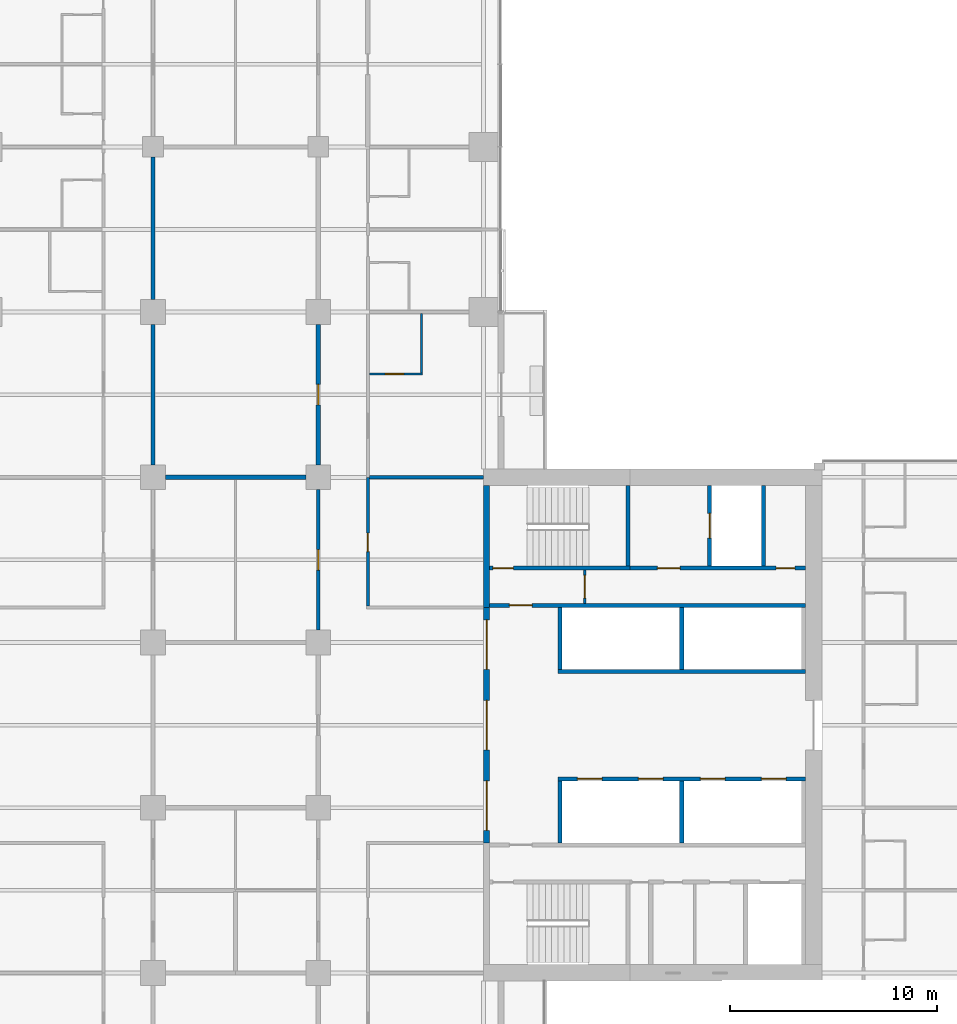
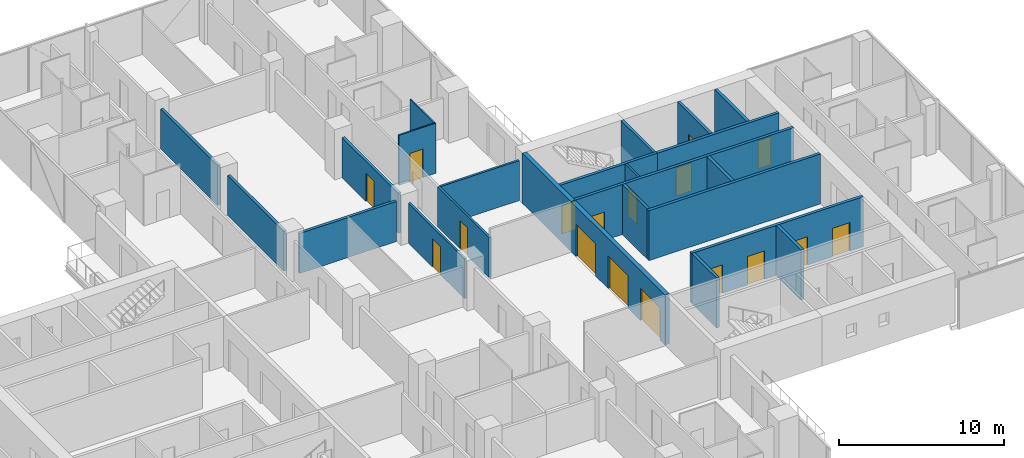
# One storey, part 20 of 27: 24 walls, 17 doors, 17 openings.
"""IFC4 building model written with IfcOpenShell, lengths in metres."""

from ifc_helpers import new_model, si_unit, direction, frame, frame_2d, origin, place, context, subcontext, project, spatial, rectangle, extrude, material, layer, layer_set, type_object, element, fill, save


model = new_model("IFC4")

# Units and contexts
model_context = context("Model", 3, precision=1e-05, world=origin(), true_north=direction((0.0, 1.0)))
body_context = subcontext(model_context, "Body", "Model", "MODEL_VIEW")
ifc_project = project(units=[si_unit("LENGTHUNIT", "METRE"), si_unit("AREAUNIT", "SQUARE_METRE"), si_unit("VOLUMEUNIT", "CUBIC_METRE"), si_unit("PLANEANGLEUNIT", "RADIAN"), si_unit("MASSUNIT", "GRAM", prefix="KILO")], contexts=[model_context])

# Site, building, storey
site_placement = place(None, origin())
site = spatial("IfcSite", under=ifc_project, at=site_placement, CompositionType="ELEMENT")
building_placement = place(site_placement, origin())
building = spatial("IfcBuilding", under=site, at=building_placement, Name="Crosswind Convention Tower", CompositionType="ELEMENT")
storey_placement = place(building_placement, frame((0.0, 0.0, 68.300048828125)))
storey = spatial("IfcBuildingStorey", under=building, at=storey_placement, Name="L11", CompositionType="ELEMENT", Elevation=68.300048828125)

# Wall, opening, door
ifc_material_1 = material(Name="Plasterboard partition", Category="gypsum")
ifc_layer_1 = layer(ifc_material_1, 0.14990234375)
ifc_layer_set_1 = layer_set([ifc_layer_1], Name="CORRIDOR WALL 150")
wall_type_1 = type_object("IfcWallType", Name="CORRIDOR WALL 150", PredefinedType="PARTITIONING", material=ifc_layer_set_1)
wall_1_placement = place(storey_placement, frame((129.0, 104.60009765625, 0.0), z_axis=(0.0, 0.0, 1.0), x_axis=(0.0, 1.0, 0.0)))
wall_1 = element("IfcWall", 1, at=wall_1_placement, inside=storey, type_object=wall_type_1, Name="Corridor Wall 110", PredefinedType="PARTITIONING", context=body_context, shape_type="SweptSolid", body=[
    extrude(rectangle(XDim=6.7998046875, YDim=0.14990234375, at=frame_2d((3.39990234375, 0.0))), origin(), (0.0, 0.0, 1.0), 2.959716796875),
])
opening_1_placement = place(wall_1_placement, frame((2.89990234375, 0.0, 0.0)))
opening_1 = element("IfcOpeningElement", 2, at=opening_1_placement, cuts=wall_1, Name="Opening 11.066", PredefinedType="OPENING", context=body_context, shape_type="SweptSolid", body=[
    extrude(rectangle(XDim=1.0, YDim=2.10009765625, at=frame_2d((0.5, 1.050048828125))), frame((0.0, 0.0849609375, 0.0), z_axis=(0.0, -1.0, 0.0), x_axis=(1.0, 0.0, 0.0)), (0.0, 0.0, 1.0), 0.169921875),
])
ifc_material_2 = material(Name="Timber fire door", Category="wood")
door_type_1 = type_object("IfcDoorType", Name="SERVICE ROOM DOOR 1000X2100", OperationType="NOTDEFINED", PredefinedType="DOOR", material=ifc_material_2)
door_1_placement = place(opening_1_placement, origin())
door_1 = element("IfcDoor", 3, at=door_1_placement, inside=storey, type_object=door_type_1, Name="Door 11.066", ObjectType="D3", OperationType="SINGLE_SWING_RIGHT", OverallHeight=2.10009765625, OverallWidth=1.0, PredefinedType="DOOR", context=body_context, shape_type="SweptSolid", body=[
    extrude(rectangle(XDim=1.0, YDim=2.10009765625, at=frame_2d((0.5, 1.050048828125))), frame((0.0, 0.02490234375, 0.0), z_axis=(0.0, -1.0, 0.0), x_axis=(1.0, 0.0, 0.0)), (0.0, 0.0, 1.0), 0.050048828125),
])
fill(opening_1, door_1)

wall_2_placement = place(storey_placement, frame((131.39990234375, 105.77490234375, 0.0), z_axis=(0.0, 0.0, 1.0), x_axis=(0.0, 1.0, 0.0)))
wall_2 = element("IfcWall", 4, at=wall_2_placement, inside=storey, type_object=wall_type_1, Name="Corridor Wall 117", PredefinedType="PARTITIONING", context=body_context, shape_type="SweptSolid", body=[
    extrude(rectangle(XDim=6.22509765625, YDim=0.14990234375, at=frame_2d((3.112548828125, 0.0))), origin(), (0.0, 0.0, 1.0), 2.956298828125),
])
opening_2_placement = place(wall_2_placement, frame((2.625, 0.0, 0.0)))
opening_2 = element("IfcOpeningElement", 5, at=opening_2_placement, cuts=wall_2, Name="Opening 11.001", PredefinedType="OPENING", context=body_context, shape_type="SweptSolid", body=[
    extrude(rectangle(XDim=0.89990234375, YDim=2.10009765625, at=frame_2d((0.449951171875, 1.050048828125))), frame((0.0, 0.0849609375, 0.0), z_axis=(0.0, -1.0, 0.0), x_axis=(1.0, 0.0, 0.0)), (0.0, 0.0, 1.0), 0.169921875),
])
ifc_material_3 = material(Name="Timber door", Category="wood")
door_type_2 = type_object("IfcDoorType", Name="WC DOOR 900X2100", OperationType="NOTDEFINED", PredefinedType="DOOR", material=ifc_material_3)
door_2_placement = place(opening_2_placement, frame((0.89990234375, 0.0, 0.0), z_axis=(0.0, 0.0, 1.0), x_axis=(-1.0, 0.0, 0.0)))
door_2 = element("IfcDoor", 6, at=door_2_placement, inside=storey, type_object=door_type_2, Name="Door 11.001", ObjectType="D7", OperationType="SINGLE_SWING_LEFT", OverallHeight=2.10009765625, OverallWidth=0.89990234375, PredefinedType="DOOR", context=body_context, shape_type="SweptSolid", body=[
    extrude(rectangle(XDim=0.89990234375, YDim=2.10009765625, at=frame_2d((0.449951171875, 1.050048828125))), frame((0.0, 0.02490234375, 0.0), z_axis=(0.0, -1.0, 0.0), x_axis=(1.0, 0.0, 0.0)), (0.0, 0.0, 1.0), 0.050048828125),
])
fill(opening_2, door_2)

# Wall, openings, doors
ifc_material_4 = material(Name="Concrete C50/60", Category="concrete")
ifc_layer_2 = layer(ifc_material_4, 0.300048828125)
ifc_layer_set_2 = layer_set([ifc_layer_2], Name="Concrete C50/60")
wall_type_2 = type_object("IfcWallType", Name="Concrete inner core wall 300", PredefinedType="SHEAR", material=ifc_layer_set_2)
wall_3_placement = place(storey_placement, frame((137.14990234375, 94.300048828125, 0.0), z_axis=(0.0, 0.0, 1.0), x_axis=(0.0, 1.0, 0.0)))
wall_3 = element("IfcWall", 7, at=wall_3_placement, inside=storey, type_object=wall_type_2, Name="Wall SCR E L11", PredefinedType="SHEAR", context=body_context, shape_type="SweptSolid", body=[
    extrude(rectangle(XDim=11.39990234375, YDim=0.300048828125, at=frame_2d((5.699951171875, 0.0))), origin(), (0.0, 0.0, 1.0), 3.699951171875),
])
opening_3_placement = place(wall_3_placement, frame((0.60009765625, 0.0, 0.0)))
opening_3 = element("IfcOpeningElement", 8, at=opening_3_placement, cuts=wall_3, Name="Opening D100", PredefinedType="OPENING", context=body_context, shape_type="SweptSolid", body=[
    extrude(rectangle(XDim=2.39990234375, YDim=2.39990234375, at=frame_2d((1.199951171875, 1.199951171875))), frame((0.0, 0.159912109375, 0.0), z_axis=(0.0, -1.0, 0.0), x_axis=(1.0, 0.0, 0.0)), (0.0, 0.0, 1.0), 0.320068359375),
])
opening_4_placement = place(wall_3_placement, frame((4.5, 0.0, 0.0)))
opening_4 = element("IfcOpeningElement", 9, at=opening_4_placement, cuts=wall_3, Name="Opening D100", PredefinedType="OPENING", context=body_context, shape_type="SweptSolid", body=[
    extrude(rectangle(XDim=2.39990234375, YDim=2.39990234375, at=frame_2d((1.199951171875, 1.199951171875))), frame((0.0, 0.159912109375, 0.0), z_axis=(0.0, -1.0, 0.0), x_axis=(1.0, 0.0, 0.0)), (0.0, 0.0, 1.0), 0.320068359375),
])
opening_5_placement = place(wall_3_placement, frame((8.39990234375, 0.0, 0.0)))
opening_5 = element("IfcOpeningElement", 10, at=opening_5_placement, cuts=wall_3, Name="Opening D100", PredefinedType="OPENING", context=body_context, shape_type="SweptSolid", body=[
    extrude(rectangle(XDim=2.39990234375, YDim=2.39990234375, at=frame_2d((1.199951171875, 1.199951171875))), frame((0.0, 0.159912109375, 0.0), z_axis=(0.0, -1.0, 0.0), x_axis=(1.0, 0.0, 0.0)), (0.0, 0.0, 1.0), 0.320068359375),
])
ifc_material_5 = material(Name="Steel fire door with glazed vision panels", Category="steel")
door_type_3 = type_object("IfcDoorType", Name="Fire-rated double door 2400x2400", OperationType="DOUBLE_DOOR_SINGLE_SWING", PredefinedType="DOOR", material=ifc_material_5)
door_3_placement = place(opening_3_placement, origin())
door_3 = element("IfcDoor", 11, at=door_3_placement, inside=storey, type_object=door_type_3, Name="Lobby door 1 L11", ObjectType="D100", OperationType="DOUBLE_DOOR_SINGLE_SWING", OverallHeight=2.39990234375, OverallWidth=2.39990234375, PredefinedType="DOOR", context=body_context, shape_type="SweptSolid", body=[
    extrude(rectangle(XDim=2.39990234375, YDim=2.39990234375, at=frame_2d((1.199951171875, 1.199951171875))), frame((0.0, 0.02490234375, 0.0), z_axis=(0.0, -1.0, 0.0), x_axis=(1.0, 0.0, 0.0)), (0.0, 0.0, 1.0), 0.050048828125),
])
fill(opening_3, door_3)
door_4_placement = place(opening_4_placement, origin())
door_4 = element("IfcDoor", 12, at=door_4_placement, inside=storey, type_object=door_type_3, Name="Lobby door 2 L11", ObjectType="D100", OperationType="DOUBLE_DOOR_SINGLE_SWING", OverallHeight=2.39990234375, OverallWidth=2.39990234375, PredefinedType="DOOR", context=body_context, shape_type="SweptSolid", body=[
    extrude(rectangle(XDim=2.39990234375, YDim=2.39990234375, at=frame_2d((1.199951171875, 1.199951171875))), frame((0.0, 0.02490234375, 0.0), z_axis=(0.0, -1.0, 0.0), x_axis=(1.0, 0.0, 0.0)), (0.0, 0.0, 1.0), 0.050048828125),
])
fill(opening_4, door_4)
door_5_placement = place(opening_5_placement, origin())
door_5 = element("IfcDoor", 13, at=door_5_placement, inside=storey, type_object=door_type_3, Name="Lobby door 3 L11", ObjectType="D100", OperationType="DOUBLE_DOOR_SINGLE_SWING", OverallHeight=2.39990234375, OverallWidth=2.39990234375, PredefinedType="DOOR", context=body_context, shape_type="SweptSolid", body=[
    extrude(rectangle(XDim=2.39990234375, YDim=2.39990234375, at=frame_2d((1.199951171875, 1.199951171875))), frame((0.0, 0.02490234375, 0.0), z_axis=(0.0, -1.0, 0.0), x_axis=(1.0, 0.0, 0.0)), (0.0, 0.0, 1.0), 0.050048828125),
])
fill(opening_5, door_5)

# Walls
wall_4_placement = place(storey_placement, frame((137.14990234375, 105.699951171875, 0.0), z_axis=(0.0, 0.0, 1.0), x_axis=(0.0, 1.0, 0.0)))
element("IfcWall", 14, at=wall_4_placement, inside=storey, type_object=wall_type_2, Name="Wall EP E L11", PredefinedType="SHEAR", context=body_context, shape_type="SweptSolid", body=[
    extrude(rectangle(XDim=5.900146484375, YDim=0.300048828125, at=frame_2d((2.9501953125, 0.0))), origin(), (0.0, 0.0, 1.0), 3.699951171875),
])
ifc_layer_3 = layer(ifc_material_4, 0.199951171875)
ifc_layer_set_3 = layer_set([ifc_layer_3], Name="Concrete C50/60")
wall_type_3 = type_object("IfcWallType", Name="Concrete shaft and stair wall 200", PredefinedType="SHEAR", material=ifc_layer_set_3)
for number, where, z_axis, x_axis, name in (
    (15, (140.699951171875, 102.699951171875, 0.0), (0.0, 0.0, 1.0), (0.0, 1.0, 0.0), "Wall RPEND E L11"),
    (16, (146.60009765625, 102.699951171875, 0.0), (0.0, 0.0, 1.0), (0.0, 1.0, 0.0), "Wall RPSEP E L11"),
):
    element("IfcWall", number, at=place(storey_placement, frame(where, z_axis=z_axis, x_axis=x_axis)), inside=storey, type_object=wall_type_3, Name=name, PredefinedType="SHEAR", context=body_context, shape_type="SweptSolid", body=[
        extrude(rectangle(XDim=3.0, YDim=0.199951171875, at=frame_2d((1.5, 0.0))), origin(), (0.0, 0.0, 1.0), 3.699951171875),
    ])
wall_5_placement = place(storey_placement, frame((140.60009765625, 102.60009765625, 0.0), z_axis=(0.0, 0.0, 1.0), x_axis=(1.0, 0.0, 0.0)))
element("IfcWall", 17, at=wall_5_placement, inside=storey, type_object=wall_type_3, Name="Wall RPFRONT E L11", PredefinedType="SHEAR", context=body_context, shape_type="SweptSolid", body=[
    extrude(rectangle(XDim=12.0, YDim=0.199951171875, at=frame_2d((6.0, 0.0))), origin(), (0.0, 0.0, 1.0), 3.699951171875),
])
for number, where, z_axis, x_axis, name in (
    (18, (140.699951171875, 94.300048828125, 0.0), (0.0, 0.0, 1.0), (0.0, 1.0, 0.0), "Wall RMEND E L11"),
    (19, (146.60009765625, 94.300048828125, 0.0), (0.0, 0.0, 1.0), (0.0, 1.0, 0.0), "Wall RMSEP E L11"),
):
    element("IfcWall", number, at=place(storey_placement, frame(where, z_axis=z_axis, x_axis=x_axis)), inside=storey, type_object=wall_type_3, Name=name, PredefinedType="SHEAR", context=body_context, shape_type="SweptSolid", body=[
        extrude(rectangle(XDim=3.0, YDim=0.199951171875, at=frame_2d((1.5, 0.0))), origin(), (0.0, 0.0, 1.0), 3.699951171875),
    ])

# Wall, openings, doors
wall_6_placement = place(storey_placement, frame((140.60009765625, 97.39990234375, 0.0), z_axis=(0.0, 0.0, 1.0), x_axis=(1.0, 0.0, 0.0)))
wall_6 = element("IfcWall", 20, at=wall_6_placement, inside=storey, type_object=wall_type_3, Name="Wall RMFRONT E L11", PredefinedType="SHEAR", context=body_context, shape_type="SweptSolid", body=[
    extrude(rectangle(XDim=12.0, YDim=0.199951171875, at=frame_2d((6.0, 0.0))), origin(), (0.0, 0.0, 1.0), 3.699951171875),
])
opening_6_placement = place(wall_6_placement, frame((0.949951171875, 0.0, 0.0)))
opening_6 = element("IfcOpeningElement", 21, at=opening_6_placement, cuts=wall_6, Name="Opening LD1", PredefinedType="OPENING", context=body_context, shape_type="SweptSolid", body=[
    extrude(rectangle(XDim=1.199951171875, YDim=2.10009765625, at=frame_2d((0.60009765625, 1.050048828125))), frame((0.0, 0.10986328125, 0.0), z_axis=(0.0, -1.0, 0.0), x_axis=(1.0, 0.0, 0.0)), (0.0, 0.0, 1.0), 0.219970703125),
])
opening_7_placement = place(wall_6_placement, frame((3.89990234375, 0.0, 0.0)))
opening_7 = element("IfcOpeningElement", 22, at=opening_7_placement, cuts=wall_6, Name="Opening LD1", PredefinedType="OPENING", context=body_context, shape_type="SweptSolid", body=[
    extrude(rectangle(XDim=1.199951171875, YDim=2.10009765625, at=frame_2d((0.60009765625, 1.050048828125))), frame((0.0, 0.10986328125, 0.0), z_axis=(0.0, -1.0, 0.0), x_axis=(1.0, 0.0, 0.0)), (0.0, 0.0, 1.0), 0.219970703125),
])
opening_8_placement = place(wall_6_placement, frame((6.89990234375, 0.0, 0.0)))
opening_8 = element("IfcOpeningElement", 23, at=opening_8_placement, cuts=wall_6, Name="Opening LD1", PredefinedType="OPENING", context=body_context, shape_type="SweptSolid", body=[
    extrude(rectangle(XDim=1.199951171875, YDim=2.10009765625, at=frame_2d((0.60009765625, 1.050048828125))), frame((0.0, 0.10986328125, 0.0), z_axis=(0.0, -1.0, 0.0), x_axis=(1.0, 0.0, 0.0)), (0.0, 0.0, 1.0), 0.219970703125),
])
opening_9_placement = place(wall_6_placement, frame((9.85009765625, 0.0, 0.0)))
opening_9 = element("IfcOpeningElement", 24, at=opening_9_placement, cuts=wall_6, Name="Opening LD1", PredefinedType="OPENING", context=body_context, shape_type="SweptSolid", body=[
    extrude(rectangle(XDim=1.199951171875, YDim=2.10009765625, at=frame_2d((0.60009765625, 1.050048828125))), frame((0.0, 0.10986328125, 0.0), z_axis=(0.0, -1.0, 0.0), x_axis=(1.0, 0.0, 0.0)), (0.0, 0.0, 1.0), 0.219970703125),
])
ifc_material_6 = material(Name="Stainless steel", Category="steel")
door_type_4 = type_object("IfcDoorType", Name="Lift landing door 1200x2100", OperationType="DOUBLE_DOOR_SLIDING", PredefinedType="DOOR", material=ifc_material_6)
door_6_placement = place(opening_6_placement, origin())
door_6 = element("IfcDoor", 25, at=door_6_placement, inside=storey, type_object=door_type_4, Name="Landing door H1 L11", ObjectType="LD1", OperationType="DOUBLE_DOOR_SLIDING", OverallHeight=2.10009765625, OverallWidth=1.199951171875, PredefinedType="DOOR", context=body_context, shape_type="SweptSolid", body=[
    extrude(rectangle(XDim=1.199951171875, YDim=2.10009765625, at=frame_2d((0.60009765625, 1.050048828125))), frame((0.0, 0.02490234375, 0.0), z_axis=(0.0, -1.0, 0.0), x_axis=(1.0, 0.0, 0.0)), (0.0, 0.0, 1.0), 0.050048828125),
])
fill(opening_6, door_6)
door_7_placement = place(opening_7_placement, origin())
door_7 = element("IfcDoor", 26, at=door_7_placement, inside=storey, type_object=door_type_4, Name="Landing door H2 L11", ObjectType="LD1", OperationType="DOUBLE_DOOR_SLIDING", OverallHeight=2.10009765625, OverallWidth=1.199951171875, PredefinedType="DOOR", context=body_context, shape_type="SweptSolid", body=[
    extrude(rectangle(XDim=1.199951171875, YDim=2.10009765625, at=frame_2d((0.60009765625, 1.050048828125))), frame((0.0, 0.02490234375, 0.0), z_axis=(0.0, -1.0, 0.0), x_axis=(1.0, 0.0, 0.0)), (0.0, 0.0, 1.0), 0.050048828125),
])
fill(opening_7, door_7)
door_8_placement = place(opening_8_placement, origin())
door_8 = element("IfcDoor", 27, at=door_8_placement, inside=storey, type_object=door_type_4, Name="Landing door H3 L11", ObjectType="LD1", OperationType="DOUBLE_DOOR_SLIDING", OverallHeight=2.10009765625, OverallWidth=1.199951171875, PredefinedType="DOOR", context=body_context, shape_type="SweptSolid", body=[
    extrude(rectangle(XDim=1.199951171875, YDim=2.10009765625, at=frame_2d((0.60009765625, 1.050048828125))), frame((0.0, 0.02490234375, 0.0), z_axis=(0.0, -1.0, 0.0), x_axis=(1.0, 0.0, 0.0)), (0.0, 0.0, 1.0), 0.050048828125),
])
fill(opening_8, door_8)
door_9_placement = place(opening_9_placement, origin())
door_9 = element("IfcDoor", 28, at=door_9_placement, inside=storey, type_object=door_type_4, Name="Landing door H4 L11", ObjectType="LD1", OperationType="DOUBLE_DOOR_SLIDING", OverallHeight=2.10009765625, OverallWidth=1.199951171875, PredefinedType="DOOR", context=body_context, shape_type="SweptSolid", body=[
    extrude(rectangle(XDim=1.199951171875, YDim=2.10009765625, at=frame_2d((0.60009765625, 1.050048828125))), frame((0.0, 0.02490234375, 0.0), z_axis=(0.0, -1.0, 0.0), x_axis=(1.0, 0.0, 0.0)), (0.0, 0.0, 1.0), 0.050048828125),
])
fill(opening_9, door_9)

# Wall, opening, door
wall_7_placement = place(storey_placement, frame((137.300048828125, 105.800048828125, 0.0), z_axis=(0.0, 0.0, 1.0), x_axis=(1.0, 0.0, 0.0)))
wall_7 = element("IfcWall", 29, at=wall_7_placement, inside=storey, type_object=wall_type_3, Name="Wall HP E L11", PredefinedType="SHEAR", context=body_context, shape_type="SweptSolid", body=[
    extrude(rectangle(XDim=15.300048828125, YDim=0.199951171875, at=frame_2d((7.64990234375, 0.0))), origin(), (0.0, 0.0, 1.0), 3.699951171875),
])
opening_10_placement = place(wall_7_placement, frame((0.949951171875, 0.0, 0.0)))
opening_10 = element("IfcOpeningElement", 30, at=opening_10_placement, cuts=wall_7, Name="Opening D104", PredefinedType="OPENING", context=body_context, shape_type="SweptSolid", body=[
    extrude(rectangle(XDim=1.10009765625, YDim=2.10009765625, at=frame_2d((0.550048828125, 1.050048828125))), frame((0.0, 0.10986328125, 0.0), z_axis=(0.0, -1.0, 0.0), x_axis=(1.0, 0.0, 0.0)), (0.0, 0.0, 1.0), 0.219970703125),
])
ifc_material_7 = material(Name="Steel fire door", Category="steel")
door_type_5 = type_object("IfcDoorType", Name="Fire-rated single door 1100x2100", OperationType="NOTDEFINED", PredefinedType="DOOR", material=ifc_material_7)
door_10_placement = place(opening_10_placement, origin())
door_10 = element("IfcDoor", 31, at=door_10_placement, inside=storey, type_object=door_type_5, Name="Corridor door L11", ObjectType="D104", OperationType="SINGLE_SWING_LEFT", OverallHeight=2.10009765625, OverallWidth=1.10009765625, PredefinedType="DOOR", context=body_context, shape_type="SweptSolid", body=[
    extrude(rectangle(XDim=1.10009765625, YDim=2.10009765625, at=frame_2d((0.550048828125, 1.050048828125))), frame((0.0, 0.02490234375, 0.0), z_axis=(0.0, -1.0, 0.0), x_axis=(1.0, 0.0, 0.0)), (0.0, 0.0, 1.0), 0.050048828125),
])
fill(opening_10, door_10)

# Wall
wall_8_placement = place(storey_placement, frame((144.0, 107.699951171875, 0.0), z_axis=(0.0, 0.0, 1.0), x_axis=(0.0, 1.0, 0.0)))
element("IfcWall", 32, at=wall_8_placement, inside=storey, type_object=wall_type_3, Name="Wall PSE E L11", PredefinedType="SHEAR", context=body_context, shape_type="SweptSolid", body=[
    extrude(rectangle(XDim=3.900146484375, YDim=0.199951171875, at=frame_2d((1.9501953125, 0.0))), origin(), (0.0, 0.0, 1.0), 3.699951171875),
])

# Wall, opening, door
wall_9_placement = place(storey_placement, frame((147.949951171875, 107.699951171875, 0.0), z_axis=(0.0, 0.0, 1.0), x_axis=(0.0, 1.0, 0.0)))
wall_9 = element("IfcWall", 33, at=wall_9_placement, inside=storey, type_object=wall_type_3, Name="Wall PFLW E L11", PredefinedType="SHEAR", context=body_context, shape_type="SweptSolid", body=[
    extrude(rectangle(XDim=3.900146484375, YDim=0.199951171875, at=frame_2d((1.9501953125, 0.0))), origin(), (0.0, 0.0, 1.0), 3.699951171875),
])
opening_11_placement = place(wall_9_placement, frame((1.35009765625, 0.0, 0.0)))
opening_11 = element("IfcOpeningElement", 34, at=opening_11_placement, cuts=wall_9, Name="Opening LD1", PredefinedType="OPENING", context=body_context, shape_type="SweptSolid", body=[
    extrude(rectangle(XDim=1.199951171875, YDim=2.10009765625, at=frame_2d((0.60009765625, 1.050048828125))), frame((0.0, 0.10986328125, 0.0), z_axis=(0.0, -1.0, 0.0), x_axis=(1.0, 0.0, 0.0)), (0.0, 0.0, 1.0), 0.219970703125),
])
door_11_placement = place(opening_11_placement, origin())
door_11 = element("IfcDoor", 35, at=door_11_placement, inside=storey, type_object=door_type_4, Name="Landing door FF1 L11", ObjectType="LD1", OperationType="DOUBLE_DOOR_SLIDING", OverallHeight=2.10009765625, OverallWidth=1.199951171875, PredefinedType="DOOR", context=body_context, shape_type="SweptSolid", body=[
    extrude(rectangle(XDim=1.199951171875, YDim=2.10009765625, at=frame_2d((0.60009765625, 1.050048828125))), frame((0.0, 0.02490234375, 0.0), z_axis=(0.0, -1.0, 0.0), x_axis=(1.0, 0.0, 0.0)), (0.0, 0.0, 1.0), 0.050048828125),
])
fill(opening_11, door_11)

# Wall
wall_10_placement = place(storey_placement, frame((150.550048828125, 107.699951171875, 0.0), z_axis=(0.0, 0.0, 1.0), x_axis=(0.0, 1.0, 0.0)))
element("IfcWall", 36, at=wall_10_placement, inside=storey, type_object=wall_type_3, Name="Wall PFSE E L11", PredefinedType="SHEAR", context=body_context, shape_type="SweptSolid", body=[
    extrude(rectangle(XDim=3.900146484375, YDim=0.199951171875, at=frame_2d((1.9501953125, 0.0))), origin(), (0.0, 0.0, 1.0), 3.699951171875),
])

# Wall, opening, door
wall_11_placement = place(storey_placement, frame((137.300048828125, 107.60009765625, 0.0), z_axis=(0.0, 0.0, 1.0), x_axis=(1.0, 0.0, 0.0)))
wall_11 = element("IfcWall", 37, at=wall_11_placement, inside=storey, type_object=wall_type_3, Name="Wall PCW E L11", PredefinedType="SHEAR", context=body_context, shape_type="SweptSolid", body=[
    extrude(rectangle(XDim=6.800048828125, YDim=0.199951171875, at=frame_2d((3.39990234375, 0.0))), origin(), (0.0, 0.0, 1.0), 3.699951171875),
])
opening_12_placement = place(wall_11_placement, frame((0.14990234375, 0.0, 0.0)))
opening_12 = element("IfcOpeningElement", 38, at=opening_12_placement, cuts=wall_11, Name="Opening D103", PredefinedType="OPENING", context=body_context, shape_type="SweptSolid", body=[
    extrude(rectangle(XDim=1.0, YDim=2.10009765625, at=frame_2d((0.5, 1.050048828125))), frame((0.0, 0.10986328125, 0.0), z_axis=(0.0, -1.0, 0.0), x_axis=(1.0, 0.0, 0.0)), (0.0, 0.0, 1.0), 0.219970703125),
])
door_type_6 = type_object("IfcDoorType", Name="Fire-rated single door 1000x2100", OperationType="NOTDEFINED", PredefinedType="DOOR", material=ifc_material_7)
door_12_placement = place(opening_12_placement, origin())
door_12 = element("IfcDoor", 39, at=door_12_placement, inside=storey, type_object=door_type_6, Name="Stair ST1 door L11", ObjectType="D103", OperationType="SINGLE_SWING_LEFT", OverallHeight=2.10009765625, OverallWidth=1.0, PredefinedType="DOOR", context=body_context, shape_type="SweptSolid", body=[
    extrude(rectangle(XDim=1.0, YDim=2.10009765625, at=frame_2d((0.5, 1.050048828125))), frame((0.0, 0.02490234375, 0.0), z_axis=(0.0, -1.0, 0.0), x_axis=(1.0, 0.0, 0.0)), (0.0, 0.0, 1.0), 0.050048828125),
])
fill(opening_12, door_12)

# Wall, openings, doors
wall_12_placement = place(storey_placement, frame((144.10009765625, 107.60009765625, 0.0), z_axis=(0.0, 0.0, 1.0), x_axis=(1.0, 0.0, 0.0)))
wall_12 = element("IfcWall", 40, at=wall_12_placement, inside=storey, type_object=wall_type_3, Name="Wall PCX E L11", PredefinedType="SHEAR", context=body_context, shape_type="SweptSolid", body=[
    extrude(rectangle(XDim=8.5, YDim=0.199951171875, at=frame_2d((4.25, 0.0))), origin(), (0.0, 0.0, 1.0), 3.699951171875),
])
opening_13_placement = place(wall_12_placement, frame((1.324951171875, 0.0, 0.0)))
opening_13 = element("IfcOpeningElement", 41, at=opening_13_placement, cuts=wall_12, Name="Opening D104", PredefinedType="OPENING", context=body_context, shape_type="SweptSolid", body=[
    extrude(rectangle(XDim=1.10009765625, YDim=2.10009765625, at=frame_2d((0.550048828125, 1.050048828125))), frame((0.0, 0.10986328125, 0.0), z_axis=(0.0, -1.0, 0.0), x_axis=(1.0, 0.0, 0.0)), (0.0, 0.0, 1.0), 0.219970703125),
])
opening_14_placement = place(wall_12_placement, frame((7.074951171875, 0.0, 0.0)))
opening_14 = element("IfcOpeningElement", 42, at=opening_14_placement, cuts=wall_12, Name="Opening D106", PredefinedType="OPENING", context=body_context, shape_type="SweptSolid", body=[
    extrude(rectangle(XDim=0.89990234375, YDim=2.10009765625, at=frame_2d((0.449951171875, 1.050048828125))), frame((0.0, 0.10986328125, 0.0), z_axis=(0.0, -1.0, 0.0), x_axis=(1.0, 0.0, 0.0)), (0.0, 0.0, 1.0), 0.219970703125),
])
door_13_placement = place(opening_13_placement, origin())
door_13 = element("IfcDoor", 43, at=door_13_placement, inside=storey, type_object=door_type_5, Name="Fire-fighting lobby FF1 door L11", ObjectType="D104", OperationType="SINGLE_SWING_RIGHT", OverallHeight=2.10009765625, OverallWidth=1.10009765625, PredefinedType="DOOR", context=body_context, shape_type="SweptSolid", body=[
    extrude(rectangle(XDim=1.10009765625, YDim=2.10009765625, at=frame_2d((0.550048828125, 1.050048828125))), frame((0.0, 0.02490234375, 0.0), z_axis=(0.0, -1.0, 0.0), x_axis=(1.0, 0.0, 0.0)), (0.0, 0.0, 1.0), 0.050048828125),
])
fill(opening_13, door_13)
door_type_7 = type_object("IfcDoorType", Name="Single leaf door 900x2100", OperationType="NOTDEFINED", PredefinedType="DOOR", material=ifc_material_3)
door_14_placement = place(opening_14_placement, origin())
door_14 = element("IfcDoor", 44, at=door_14_placement, inside=storey, type_object=door_type_7, Name="Door to cleaners' store L11", ObjectType="D106", OperationType="SINGLE_SWING_RIGHT", OverallHeight=2.10009765625, OverallWidth=0.89990234375, PredefinedType="DOOR", context=body_context, shape_type="SweptSolid", body=[
    extrude(rectangle(XDim=0.89990234375, YDim=2.10009765625, at=frame_2d((0.449951171875, 1.050048828125))), frame((0.0, 0.02490234375, 0.0), z_axis=(0.0, -1.0, 0.0), x_axis=(1.0, 0.0, 0.0)), (0.0, 0.0, 1.0), 0.050048828125),
])
fill(opening_14, door_14)

# Wall, opening, door
ifc_material_8 = material(Name="Gypsum plasterboard partition", Category="gypsum")
ifc_layer_4 = layer(ifc_material_8, 0.125)
ifc_layer_set_4 = layer_set([ifc_layer_4], Name="Drywall partition wall 125")
wall_type_4 = type_object("IfcWallType", Name="Drywall partition wall 125", PredefinedType="PARTITIONING", material=ifc_layer_set_4)
wall_13_placement = place(storey_placement, frame((141.89990234375, 105.89990234375, 0.0), z_axis=(0.0, 0.0, 1.0), x_axis=(0.0, 1.0, 0.0)))
wall_13 = element("IfcWall", 45, at=wall_13_placement, inside=storey, type_object=wall_type_4, Name="Wall PXC1 E L11", PredefinedType="PARTITIONING", context=body_context, shape_type="SweptSolid", body=[
    extrude(rectangle(XDim=1.60009765625, YDim=0.125, at=frame_2d((0.800048828125, 0.0))), origin(), (0.0, 0.0, 1.0), 3.699951171875),
])
opening_15_placement = place(wall_13_placement, frame((0.25, 0.0, 0.0)))
opening_15 = element("IfcOpeningElement", 46, at=opening_15_placement, cuts=wall_13, Name="Opening D104", PredefinedType="OPENING", context=body_context, shape_type="SweptSolid", body=[
    extrude(rectangle(XDim=1.10009765625, YDim=2.10009765625, at=frame_2d((0.550048828125, 1.050048828125))), frame((0.0, 0.072509765625, 0.0), z_axis=(0.0, -1.0, 0.0), x_axis=(1.0, 0.0, 0.0)), (0.0, 0.0, 1.0), 0.14501953125),
])
door_15_placement = place(opening_15_placement, origin())
door_15 = element("IfcDoor", 47, at=door_15_placement, inside=storey, type_object=door_type_5, Name="Corridor smoke door L11", ObjectType="D104", OperationType="SINGLE_SWING_RIGHT", OverallHeight=2.10009765625, OverallWidth=1.10009765625, PredefinedType="DOOR", context=body_context, shape_type="SweptSolid", body=[
    extrude(rectangle(XDim=1.10009765625, YDim=2.10009765625, at=frame_2d((0.550048828125, 1.050048828125))), frame((0.0, 0.02490234375, 0.0), z_axis=(0.0, -1.0, 0.0), x_axis=(1.0, 0.0, 0.0)), (0.0, 0.0, 1.0), 0.050048828125),
])
fill(opening_15, door_15)

# Walls
ifc_material_9 = material(Name="Acoustic plasterboard partition", Category="gypsum")
ifc_layer_5 = layer(ifc_material_9, 0.14990234375)
ifc_layer_set_5 = layer_set([ifc_layer_5], Name="GUEST ROOM WALL 150")
wall_type_5 = type_object("IfcWallType", Name="GUEST ROOM WALL 150", PredefinedType="PARTITIONING", material=ifc_layer_set_5)
wall_14_placement = place(storey_placement, frame((131.47509765625, 112.0, 0.0), z_axis=(0.0, 0.0, 1.0), x_axis=(1.0, 0.0, 0.0)))
element("IfcWall", 48, at=wall_14_placement, inside=storey, type_object=wall_type_5, Name="Guest Room Wall 53", PredefinedType="PARTITIONING", context=body_context, shape_type="SweptSolid", body=[
    extrude(rectangle(XDim=5.52490234375, YDim=0.14990234375, at=frame_2d((2.762451171875, 0.0))), origin(), (0.0, 0.0, 1.0), 2.956298828125),
])
ifc_material_10 = material(Name="Double plasterboard partition", Category="gypsum")
ifc_layer_6 = layer(ifc_material_10, 0.199951171875)
ifc_layer_set_6 = layer_set([ifc_layer_6], Name="HALL WALL 200")
wall_type_6 = type_object("IfcWallType", Name="HALL WALL 200", PredefinedType="PARTITIONING", material=ifc_layer_set_6)
for number, where, z_axis, x_axis, name in (
    (49, (121.60009765625, 112.0, 0.0), (0.0, 0.0, 1.0), (1.0, 0.0, 0.0), "Hall Wall 52"),
    (50, (121.0, 112.60009765625, 0.0), (0.0, 0.0, 1.0), (0.0, 1.0, 0.0), "Hall Wall 95"),
):
    element("IfcWall", number, at=place(storey_placement, frame(where, z_axis=z_axis, x_axis=x_axis)), inside=storey, type_object=wall_type_6, Name=name, PredefinedType="PARTITIONING", context=body_context, shape_type="SweptSolid", body=[
        extrude(rectangle(XDim=6.7998046875, YDim=0.199951171875, at=frame_2d((3.39990234375, 0.0))), origin(), (0.0, 0.0, 1.0), 2.959716796875),
    ])
wall_15_placement = place(storey_placement, frame((121.0, 120.60009765625, 0.0), z_axis=(0.0, 0.0, 1.0), x_axis=(0.0, 1.0, 0.0)))
element("IfcWall", 51, at=wall_15_placement, inside=storey, type_object=wall_type_6, Name="Hall Wall 96", PredefinedType="PARTITIONING", context=body_context, shape_type="SweptSolid", body=[
    extrude(rectangle(XDim=6.89990234375, YDim=0.199951171875, at=frame_2d((3.449951171875, 0.0))), origin(), (0.0, 0.0, 1.0), 2.959716796875),
])

# Wall, opening, door
wall_16_placement = place(storey_placement, frame((129.0, 112.60009765625, 0.0), z_axis=(0.0, 0.0, 1.0), x_axis=(0.0, 1.0, 0.0)))
wall_16 = element("IfcWall", 52, at=wall_16_placement, inside=storey, type_object=wall_type_6, Name="Hall Wall 111", PredefinedType="PARTITIONING", context=body_context, shape_type="SweptSolid", body=[
    extrude(rectangle(XDim=6.7998046875, YDim=0.199951171875, at=frame_2d((3.39990234375, 0.0))), origin(), (0.0, 0.0, 1.0), 2.959716796875),
])
opening_16_placement = place(wall_16_placement, frame((2.89990234375, 0.0, 0.0)))
opening_16 = element("IfcOpeningElement", 53, at=opening_16_placement, cuts=wall_16, Name="Opening 11.067", PredefinedType="OPENING", context=body_context, shape_type="SweptSolid", body=[
    extrude(rectangle(XDim=1.0, YDim=2.10009765625, at=frame_2d((0.5, 1.050048828125))), frame((0.0, 0.10986328125, 0.0), z_axis=(0.0, -1.0, 0.0), x_axis=(1.0, 0.0, 0.0)), (0.0, 0.0, 1.0), 0.219970703125),
])
door_type_8 = type_object("IfcDoorType", Name="MEETING ROOM DOOR 1000X2100", OperationType="NOTDEFINED", PredefinedType="DOOR", material=ifc_material_2)
door_16_placement = place(opening_16_placement, frame((1.0, 0.0, 0.0), z_axis=(0.0, 0.0, 1.0), x_axis=(-1.0, 0.0, 0.0)))
door_16 = element("IfcDoor", 54, at=door_16_placement, inside=storey, type_object=door_type_8, Name="Door 11.067", ObjectType="D13", OperationType="SINGLE_SWING_LEFT", OverallHeight=2.10009765625, OverallWidth=1.0, PredefinedType="DOOR", context=body_context, shape_type="SweptSolid", body=[
    extrude(rectangle(XDim=1.0, YDim=2.10009765625, at=frame_2d((0.5, 1.050048828125))), frame((0.0, 0.02490234375, 0.0), z_axis=(0.0, -1.0, 0.0), x_axis=(1.0, 0.0, 0.0)), (0.0, 0.0, 1.0), 0.050048828125),
])
fill(opening_16, door_16)

ifc_material_11 = material(Name="Water-resistant plasterboard partition", Category="gypsum")
ifc_layer_7 = layer(ifc_material_11, 0.10009765625)
ifc_layer_set_7 = layer_set([ifc_layer_7], Name="WET ROOM PARTITION 100")
wall_type_7 = type_object("IfcWallType", Name="WET ROOM PARTITION 100", PredefinedType="PLUMBINGWALL", material=ifc_layer_set_7)
wall_17_placement = place(storey_placement, frame((131.47509765625, 117.0, 0.0), z_axis=(0.0, 0.0, 1.0), x_axis=(1.0, 0.0, 0.0)))
wall_17 = element("IfcWall", 55, at=wall_17_placement, inside=storey, type_object=wall_type_7, Name="Wet Room Partition 54", PredefinedType="PLUMBINGWALL", context=body_context, shape_type="SweptSolid", body=[
    extrude(rectangle(XDim=2.574951171875, YDim=0.10009765625, at=frame_2d((1.28759765625, 0.0))), origin(), (0.0, 0.0, 1.0), 3.699951171875),
])
opening_17_placement = place(wall_17_placement, frame((0.77490234375, 0.0, 0.0)))
opening_17 = element("IfcOpeningElement", 56, at=opening_17_placement, cuts=wall_17, Name="Opening 11.006", PredefinedType="OPENING", context=body_context, shape_type="SweptSolid", body=[
    extrude(rectangle(XDim=0.89990234375, YDim=2.10009765625, at=frame_2d((0.449951171875, 1.050048828125))), frame((0.0, 0.06005859375, 0.0), z_axis=(0.0, -1.0, 0.0), x_axis=(1.0, 0.0, 0.0)), (0.0, 0.0, 1.0), 0.1201171875),
])
door_type_9 = type_object("IfcDoorType", Name="EN-SUITE DOOR 900X2100", OperationType="NOTDEFINED", PredefinedType="DOOR", material=ifc_material_3)
door_17_placement = place(opening_17_placement, origin())
door_17 = element("IfcDoor", 57, at=door_17_placement, inside=storey, type_object=door_type_9, Name="Door 11.006", ObjectType="D2", OperationType="SINGLE_SWING_RIGHT", OverallHeight=2.10009765625, OverallWidth=0.89990234375, PredefinedType="DOOR", context=body_context, shape_type="SweptSolid", body=[
    extrude(rectangle(XDim=0.89990234375, YDim=2.10009765625, at=frame_2d((0.449951171875, 1.050048828125))), frame((0.0, 0.02490234375, 0.0), z_axis=(0.0, -1.0, 0.0), x_axis=(1.0, 0.0, 0.0)), (0.0, 0.0, 1.0), 0.050048828125),
])
fill(opening_17, door_17)

# Wall
wall_18_placement = place(storey_placement, frame((134.0, 117.050048828125, 0.0), z_axis=(0.0, 0.0, 1.0), x_axis=(0.0, 1.0, 0.0)))
element("IfcWall", 58, at=wall_18_placement, inside=storey, type_object=wall_type_7, Name="Wet Room Partition 126", PredefinedType="PLUMBINGWALL", context=body_context, shape_type="SweptSolid", body=[
    extrude(rectangle(XDim=2.875, YDim=0.10009765625, at=frame_2d((1.4375, 0.0))), origin(), (0.0, 0.0, 1.0), 3.699951171875),
])

save(model, "model.ifc")
